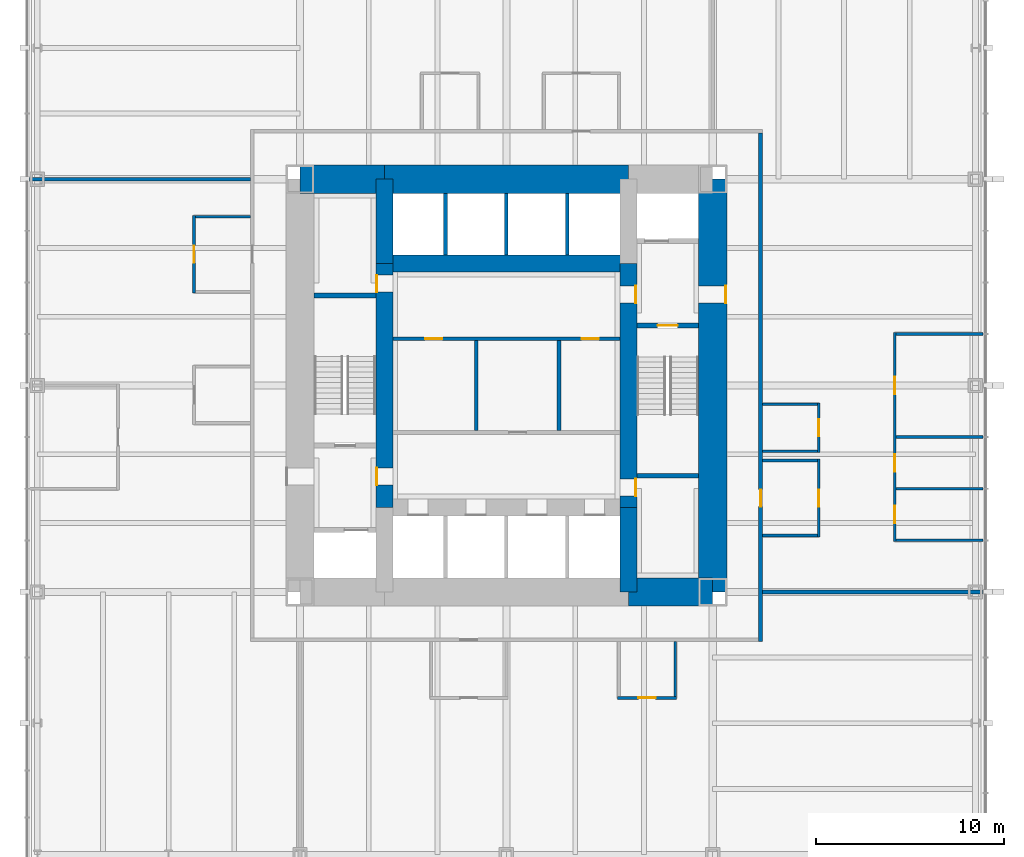
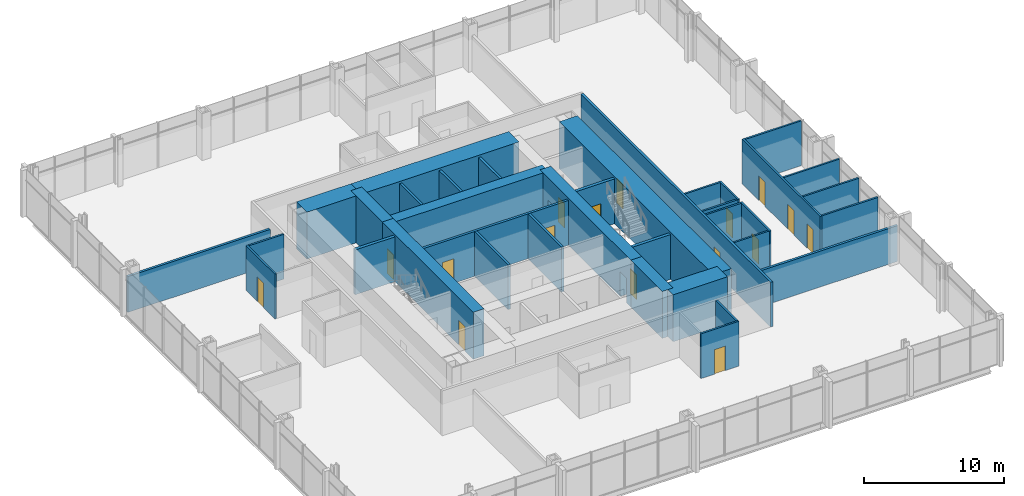
# One storey, part 10 of 12: 36 walls, 16 doors, 16 openings.
"""IFC4 building model written with IfcOpenShell, lengths in metres."""

from ifc_helpers import new_model, si_unit, direction, frame, frame_2d, origin, place, context, subcontext, project, spatial, rectangle, extrude, material, layer, layer_set, type_object, element, fill, save


model = new_model("IFC4")

# Units and contexts
model_context = context("Model", 3, precision=1e-05, world=origin(), true_north=direction((0.0, 1.0)))
body_context = subcontext(model_context, "Body", "Model", "MODEL_VIEW")
ifc_project = project(units=[si_unit("LENGTHUNIT", "METRE"), si_unit("AREAUNIT", "SQUARE_METRE"), si_unit("VOLUMEUNIT", "CUBIC_METRE"), si_unit("PLANEANGLEUNIT", "RADIAN"), si_unit("MASSUNIT", "GRAM", prefix="KILO")], contexts=[model_context])

# Site, building, storey
site_placement = place(None, origin())
site = spatial("IfcSite", under=ifc_project, at=site_placement, CompositionType="ELEMENT")
building_placement = place(site_placement, origin())
building = spatial("IfcBuilding", under=site, at=building_placement, Name="Trevanion Tower", CompositionType="ELEMENT")
storey_placement = place(building_placement, frame((0.0, 0.0, 28.300048828125)))
storey = spatial("IfcBuildingStorey", under=building, at=storey_placement, Name="L06", CompositionType="ELEMENT", Elevation=28.300048828125)

# Wall, opening, door
ifc_material_1 = material(Name="Concrete 10,000 psi", Category="concrete")
ifc_layer_1 = layer(ifc_material_1, 1.5)
ifc_layer_set_1 = layer_set([ifc_layer_1], Name="CW1 core wall 1500")
wall_type_1 = type_object("IfcWallType", Name="CW1 core wall 1500", PredefinedType="SHEAR", material=ifc_layer_set_1)
wall_1_placement = place(storey_placement, frame((11.0, -11.0, 0.0), z_axis=(0.0, 0.0, 1.0), x_axis=(0.0, 1.0, 0.0)))
wall_1 = element("IfcWall", 1, at=wall_1_placement, inside=storey, type_object=wall_type_1, Name="CW1 CE L06", PredefinedType="SHEAR", context=body_context, shape_type="SweptSolid", body=[
    extrude(rectangle(XDim=22.0, YDim=1.5, at=frame_2d((11.0, 0.0))), origin(), (0.0, 0.0, 1.0), 4.099853515625),
])
opening_1_placement = place(wall_1_placement, frame((15.392578125, 0.0, 0.0)))
opening_1 = element("IfcOpeningElement", 2, at=opening_1_placement, cuts=wall_1, Name="Opening 06-001", PredefinedType="OPENING", context=body_context, shape_type="SweptSolid", body=[
    extrude(rectangle(XDim=0.9150390625, YDim=2.134033203125, at=frame_2d((0.45751953125, 1.06689453125))), frame((0.0, 0.760009765625, 0.0), z_axis=(0.0, -1.0, 0.0), x_axis=(1.0, 0.0, 0.0)), (0.0, 0.0, 1.0), 1.52001953125),
])
ifc_material_2 = material(Name="Hollow metal, fire rated", Category="steel")
door_type_1 = type_object("IfcDoorType", Name="D3 fire lift lobby door", OperationType="SINGLE_SWING_RIGHT", PredefinedType="DOOR", material=ifc_material_2)
door_1_placement = place(opening_1_placement, origin())
door_1 = element("IfcDoor", 3, at=door_1_placement, inside=storey, type_object=door_type_1, Name="Door 06-001", OperationType="SINGLE_SWING_RIGHT", OverallHeight=2.134033203125, OverallWidth=0.9150390625, PredefinedType="DOOR", context=body_context, shape_type="SweptSolid", body=[
    extrude(rectangle(XDim=0.9150390625, YDim=2.134033203125, at=frame_2d((0.45751953125, 1.06689453125))), frame((0.0, -0.6748046875, 0.0), z_axis=(0.0, -1.0, 0.0), x_axis=(1.0, 0.0, 0.0)), (0.0, 0.0, 1.0), 0.050048828125),
])
fill(opening_1, door_1)

# Walls
wall_2_placement = place(storey_placement, frame((6.5, 11.0, 0.0), z_axis=(0.0, 0.0, 1.0), x_axis=(-1.0, 0.0, 0.0)))
element("IfcWall", 4, at=wall_2_placement, inside=storey, type_object=wall_type_1, Name="CW1 CN2 L06", PredefinedType="SHEAR", context=body_context, shape_type="SweptSolid", body=[
    extrude(rectangle(XDim=13.0, YDim=1.5, at=frame_2d((6.5, 0.0))), origin(), (0.0, 0.0, 1.0), 4.099853515625),
])
for number, where, z_axis, x_axis, name in (
    (5, (-6.5, 11.0, 0.0), (0.0, 0.0, 1.0), (-1.0, 0.0, 0.0), "CW1 CN3 L06"),
    (6, (6.5, -11.0, 0.0), (0.0, 0.0, 1.0), (1.0, 0.0, 0.0), "CW1 CS3 L06"),
):
    element("IfcWall", number, at=place(storey_placement, frame(where, z_axis=z_axis, x_axis=x_axis)), inside=storey, type_object=wall_type_1, Name=name, PredefinedType="SHEAR", context=body_context, shape_type="SweptSolid", body=[
        extrude(rectangle(XDim=4.5, YDim=1.5, at=frame_2d((2.25, 0.0))), origin(), (0.0, 0.0, 1.0), 4.099853515625),
    ])
ifc_material_3 = material(Name="Concrete 10,000 psi", Category="concrete")
ifc_layer_2 = layer(ifc_material_3, 0.89990234375)
ifc_layer_set_2 = layer_set([ifc_layer_2], Name="CW2 core wall 900")
wall_type_2 = type_object("IfcWallType", Name="CW2 core wall 900", PredefinedType="SHEAR", material=ifc_layer_set_2)
wall_3_placement = place(storey_placement, frame((6.5, -11.0, 0.0), z_axis=(0.0, 0.0, 1.0), x_axis=(0.0, 1.0, 0.0)))
element("IfcWall", 7, at=wall_3_placement, inside=storey, type_object=wall_type_2, Name="CW2 RE1 L06", PredefinedType="SHEAR", context=body_context, shape_type="SweptSolid", body=[
    extrude(rectangle(XDim=4.5, YDim=0.89990234375, at=frame_2d((2.25, 0.0))), origin(), (0.0, 0.0, 1.0), 4.099853515625),
])

# Wall, openings, doors
wall_4_placement = place(storey_placement, frame((6.5, -6.5, 0.0), z_axis=(0.0, 0.0, 1.0), x_axis=(0.0, 1.0, 0.0)))
wall_4 = element("IfcWall", 8, at=wall_4_placement, inside=storey, type_object=wall_type_2, Name="CW2 RE2 L06", PredefinedType="SHEAR", context=body_context, shape_type="SweptSolid", body=[
    extrude(rectangle(XDim=13.0, YDim=0.89990234375, at=frame_2d((6.5, 0.0))), origin(), (0.0, 0.0, 1.0), 4.099853515625),
])
opening_2_placement = place(wall_4_placement, frame((10.892578125, 0.0, 0.0)))
opening_2 = element("IfcOpeningElement", 9, at=opening_2_placement, cuts=wall_4, Name="Opening 06-003", PredefinedType="OPENING", context=body_context, shape_type="SweptSolid", body=[
    extrude(rectangle(XDim=0.9150390625, YDim=2.134033203125, at=frame_2d((0.45751953125, 1.06689453125))), frame((0.0, 0.4599609375, 0.0), z_axis=(0.0, -1.0, 0.0), x_axis=(1.0, 0.0, 0.0)), (0.0, 0.0, 1.0), 0.919921875),
])
opening_3_placement = place(wall_4_placement, frame((0.610107421875, 0.0, 0.0)))
opening_3 = element("IfcOpeningElement", 10, at=opening_3_placement, cuts=wall_4, Name="Opening 06-009", PredefinedType="OPENING", context=body_context, shape_type="SweptSolid", body=[
    extrude(rectangle(XDim=0.9150390625, YDim=2.134033203125, at=frame_2d((0.45751953125, 1.06689453125))), frame((0.0, 0.4599609375, 0.0), z_axis=(0.0, -1.0, 0.0), x_axis=(1.0, 0.0, 0.0)), (0.0, 0.0, 1.0), 0.919921875),
])
door_2_placement = place(opening_2_placement, origin())
door_2 = element("IfcDoor", 11, at=door_2_placement, inside=storey, type_object=door_type_1, Name="Door 06-003", OperationType="SINGLE_SWING_RIGHT", OverallHeight=2.134033203125, OverallWidth=0.9150390625, PredefinedType="DOOR", context=body_context, shape_type="SweptSolid", body=[
    extrude(rectangle(XDim=0.9150390625, YDim=2.134033203125, at=frame_2d((0.45751953125, 1.06689453125))), frame((0.0, -0.375, 0.0), z_axis=(0.0, -1.0, 0.0), x_axis=(1.0, 0.0, 0.0)), (0.0, 0.0, 1.0), 0.050048828125),
])
fill(opening_2, door_2)
ifc_material_4 = material(Name="Hollow metal, fire rated", Category="steel")
door_type_2 = type_object("IfcDoorType", Name="D5 service room door", OperationType="SINGLE_SWING_RIGHT", PredefinedType="DOOR", material=ifc_material_4)
door_3_placement = place(opening_3_placement, origin())
door_3 = element("IfcDoor", 12, at=door_3_placement, inside=storey, type_object=door_type_2, Name="Door 06-009", OperationType="SINGLE_SWING_RIGHT", OverallHeight=2.134033203125, OverallWidth=0.9150390625, PredefinedType="DOOR", context=body_context, shape_type="SweptSolid", body=[
    extrude(rectangle(XDim=0.9150390625, YDim=2.134033203125, at=frame_2d((0.45751953125, 1.06689453125))), frame((0.0, -0.375, 0.0), z_axis=(0.0, -1.0, 0.0), x_axis=(1.0, 0.0, 0.0)), (0.0, 0.0, 1.0), 0.050048828125),
])
fill(opening_3, door_3)

# Wall
wall_5_placement = place(storey_placement, frame((-6.5, 11.0, 0.0), z_axis=(0.0, 0.0, 1.0), x_axis=(0.0, -1.0, 0.0)))
element("IfcWall", 13, at=wall_5_placement, inside=storey, type_object=wall_type_2, Name="CW2 RW1 L06", PredefinedType="SHEAR", context=body_context, shape_type="SweptSolid", body=[
    extrude(rectangle(XDim=4.5, YDim=0.89990234375, at=frame_2d((2.25, 0.0))), origin(), (0.0, 0.0, 1.0), 4.099853515625),
])

# Wall, openings, doors
wall_6_placement = place(storey_placement, frame((-6.5, 6.5, 0.0), z_axis=(0.0, 0.0, 1.0), x_axis=(0.0, -1.0, 0.0)))
wall_6 = element("IfcWall", 14, at=wall_6_placement, inside=storey, type_object=wall_type_2, Name="CW2 RW2 L06", PredefinedType="SHEAR", context=body_context, shape_type="SweptSolid", body=[
    extrude(rectangle(XDim=13.0, YDim=0.89990234375, at=frame_2d((6.5, 0.0))), origin(), (0.0, 0.0, 1.0), 4.099853515625),
])
opening_4_placement = place(wall_6_placement, frame((10.892578125, 0.0, 0.0)))
opening_4 = element("IfcOpeningElement", 15, at=opening_4_placement, cuts=wall_6, Name="Opening 06-004", PredefinedType="OPENING", context=body_context, shape_type="SweptSolid", body=[
    extrude(rectangle(XDim=0.9150390625, YDim=2.134033203125, at=frame_2d((0.45751953125, 1.06689453125))), frame((0.0, 0.4599609375, 0.0), z_axis=(0.0, -1.0, 0.0), x_axis=(1.0, 0.0, 0.0)), (0.0, 0.0, 1.0), 0.919921875),
])
opening_5_placement = place(wall_6_placement, frame((0.610107421875, 0.0, 0.0)))
opening_5 = element("IfcOpeningElement", 16, at=opening_5_placement, cuts=wall_6, Name="Opening 06-010", PredefinedType="OPENING", context=body_context, shape_type="SweptSolid", body=[
    extrude(rectangle(XDim=0.9150390625, YDim=2.134033203125, at=frame_2d((0.45751953125, 1.06689453125))), frame((0.0, 0.4599609375, 0.0), z_axis=(0.0, -1.0, 0.0), x_axis=(1.0, 0.0, 0.0)), (0.0, 0.0, 1.0), 0.919921875),
])
door_4_placement = place(opening_4_placement, origin())
door_4 = element("IfcDoor", 17, at=door_4_placement, inside=storey, type_object=door_type_1, Name="Door 06-004", OperationType="SINGLE_SWING_RIGHT", OverallHeight=2.134033203125, OverallWidth=0.9150390625, PredefinedType="DOOR", context=body_context, shape_type="SweptSolid", body=[
    extrude(rectangle(XDim=0.9150390625, YDim=2.134033203125, at=frame_2d((0.45751953125, 1.06689453125))), frame((0.0, -0.375, 0.0), z_axis=(0.0, -1.0, 0.0), x_axis=(1.0, 0.0, 0.0)), (0.0, 0.0, 1.0), 0.050048828125),
])
fill(opening_4, door_4)
door_5_placement = place(opening_5_placement, origin())
door_5 = element("IfcDoor", 18, at=door_5_placement, inside=storey, type_object=door_type_2, Name="Door 06-010", OperationType="SINGLE_SWING_RIGHT", OverallHeight=2.134033203125, OverallWidth=0.9150390625, PredefinedType="DOOR", context=body_context, shape_type="SweptSolid", body=[
    extrude(rectangle(XDim=0.9150390625, YDim=2.134033203125, at=frame_2d((0.45751953125, 1.06689453125))), frame((0.0, -0.375, 0.0), z_axis=(0.0, -1.0, 0.0), x_axis=(1.0, 0.0, 0.0)), (0.0, 0.0, 1.0), 0.050048828125),
])
fill(opening_5, door_5)

# Wall
wall_7_placement = place(storey_placement, frame((6.5, 6.5, 0.0), z_axis=(0.0, 0.0, 1.0), x_axis=(-1.0, 0.0, 0.0)))
element("IfcWall", 19, at=wall_7_placement, inside=storey, type_object=wall_type_2, Name="CW2 RN L06", PredefinedType="SHEAR", context=body_context, shape_type="SweptSolid", body=[
    extrude(rectangle(XDim=13.0, YDim=0.89990234375, at=frame_2d((6.5, 0.0))), origin(), (0.0, 0.0, 1.0), 4.099853515625),
])

# Wall, openings, doors
ifc_material_5 = material(Name="Gypsum board on steel studs", Category="steel")
ifc_layer_3 = layer(ifc_material_5, 0.14990234375)
ifc_layer_set_3 = layer_set([ifc_layer_3], Name="PT1 partition 150")
wall_type_3 = type_object("IfcWallType", Name="PT1 partition 150", PredefinedType="PARTITIONING", material=ifc_layer_set_3)
wall_8_placement = place(storey_placement, frame((20.699951171875, -8.324951171875, 0.0), z_axis=(0.0, 0.0, 1.0), x_axis=(0.0, 1.0, 0.0)))
wall_8 = element("IfcWall", 20, at=wall_8_placement, inside=storey, type_object=wall_type_3, Name="PT1 L06 FC0F", PredefinedType="PARTITIONING", context=body_context, shape_type="SweptSolid", body=[
    extrude(rectangle(XDim=11.14990234375, YDim=0.14990234375, at=frame_2d((5.574951171875, 0.0))), origin(), (0.0, 0.0, 1.0), 3.909912109375),
])
opening_6_placement = place(wall_8_placement, frame((0.992431640625, 0.0, 0.0)))
opening_6 = element("IfcOpeningElement", 21, at=opening_6_placement, cuts=wall_8, Name="Opening 06-018", PredefinedType="OPENING", context=body_context, shape_type="SweptSolid", body=[
    extrude(rectangle(XDim=0.9150390625, YDim=2.134033203125, at=frame_2d((0.45751953125, 1.06689453125))), frame((0.0, 0.0849609375, 0.0), z_axis=(0.0, -1.0, 0.0), x_axis=(1.0, 0.0, 0.0)), (0.0, 0.0, 1.0), 0.169921875),
])
opening_7_placement = place(wall_8_placement, frame((3.742431640625, 0.0, 0.0)))
opening_7 = element("IfcOpeningElement", 22, at=opening_7_placement, cuts=wall_8, Name="Opening 06-019", PredefinedType="OPENING", context=body_context, shape_type="SweptSolid", body=[
    extrude(rectangle(XDim=0.9150390625, YDim=2.134033203125, at=frame_2d((0.45751953125, 1.06689453125))), frame((0.0, 0.0849609375, 0.0), z_axis=(0.0, -1.0, 0.0), x_axis=(1.0, 0.0, 0.0)), (0.0, 0.0, 1.0), 0.169921875),
])
opening_8_placement = place(wall_8_placement, frame((7.867431640625, 0.0, 0.0)))
opening_8 = element("IfcOpeningElement", 23, at=opening_8_placement, cuts=wall_8, Name="Opening 06-020", PredefinedType="OPENING", context=body_context, shape_type="SweptSolid", body=[
    extrude(rectangle(XDim=0.9150390625, YDim=2.134033203125, at=frame_2d((0.45751953125, 1.06689453125))), frame((0.0, 0.0849609375, 0.0), z_axis=(0.0, -1.0, 0.0), x_axis=(1.0, 0.0, 0.0)), (0.0, 0.0, 1.0), 0.169921875),
])
ifc_material_6 = material(Name="Timber veneer, solid core", Category="wood")
door_type_3 = type_object("IfcDoorType", Name="D1 office and meeting room door", OperationType="SINGLE_SWING_LEFT", PredefinedType="DOOR", material=ifc_material_6)
door_6_placement = place(opening_6_placement, origin())
door_6 = element("IfcDoor", 24, at=door_6_placement, inside=storey, type_object=door_type_3, Name="Door 06-018", OperationType="SINGLE_SWING_LEFT", OverallHeight=2.134033203125, OverallWidth=0.9150390625, PredefinedType="DOOR", context=body_context, shape_type="SweptSolid", body=[
    extrude(rectangle(XDim=0.9150390625, YDim=2.134033203125, at=frame_2d((0.45751953125, 1.06689453125))), frame((0.0, 0.02490234375, 0.0), z_axis=(0.0, -1.0, 0.0), x_axis=(1.0, 0.0, 0.0)), (0.0, 0.0, 1.0), 0.050048828125),
])
fill(opening_6, door_6)
door_7_placement = place(opening_7_placement, origin())
door_7 = element("IfcDoor", 25, at=door_7_placement, inside=storey, type_object=door_type_3, Name="Door 06-019", OperationType="SINGLE_SWING_LEFT", OverallHeight=2.134033203125, OverallWidth=0.9150390625, PredefinedType="DOOR", context=body_context, shape_type="SweptSolid", body=[
    extrude(rectangle(XDim=0.9150390625, YDim=2.134033203125, at=frame_2d((0.45751953125, 1.06689453125))), frame((0.0, 0.02490234375, 0.0), z_axis=(0.0, -1.0, 0.0), x_axis=(1.0, 0.0, 0.0)), (0.0, 0.0, 1.0), 0.050048828125),
])
fill(opening_7, door_7)
door_8_placement = place(opening_8_placement, origin())
door_8 = element("IfcDoor", 26, at=door_8_placement, inside=storey, type_object=door_type_3, Name="Door 06-020", OperationType="SINGLE_SWING_LEFT", OverallHeight=2.134033203125, OverallWidth=0.9150390625, PredefinedType="DOOR", context=body_context, shape_type="SweptSolid", body=[
    extrude(rectangle(XDim=0.9150390625, YDim=2.134033203125, at=frame_2d((0.45751953125, 1.06689453125))), frame((0.0, 0.02490234375, 0.0), z_axis=(0.0, -1.0, 0.0), x_axis=(1.0, 0.0, 0.0)), (0.0, 0.0, 1.0), 0.050048828125),
])
fill(opening_8, door_8)

# Walls
for number, where, z_axis, x_axis, name in (
    (27, (20.77490234375, -8.25, 0.0), (0.0, 0.0, 1.0), (1.0, 0.0, 0.0), "PT1 L06 FC0S0"),
    (28, (20.77490234375, -5.5, 0.0), (0.0, 0.0, 1.0), (1.0, 0.0, 0.0), "PT1 L06 FC0S1"),
    (29, (20.77490234375, -2.75, 0.0), (0.0, 0.0, 1.0), (1.0, 0.0, 0.0), "PT1 L06 FC0S2"),
    (30, (20.77490234375, 2.75, 0.0), (0.0, 0.0, 1.0), (1.0, 0.0, 0.0), "PT1 L06 FC0S4"),
):
    element("IfcWall", number, at=place(storey_placement, frame(where, z_axis=z_axis, x_axis=x_axis)), inside=storey, type_object=wall_type_3, Name=name, PredefinedType="PARTITIONING", context=body_context, shape_type="SweptSolid", body=[
        extrude(rectangle(XDim=4.64013671875, YDim=0.14990234375, at=frame_2d((2.320068359375, 0.0))), origin(), (0.0, 0.0, 1.0), 3.909912109375),
    ])

# Wall, opening, door
wall_9_placement = place(storey_placement, frame((16.64990234375, -8.074951171875, 0.0), z_axis=(0.0, 0.0, 1.0), x_axis=(0.0, 1.0, 0.0)))
wall_9 = element("IfcWall", 31, at=wall_9_placement, inside=storey, type_object=wall_type_3, Name="PT1 L06 IN00F", PredefinedType="PARTITIONING", context=body_context, shape_type="SweptSolid", body=[
    extrude(rectangle(XDim=4.14990234375, YDim=0.14990234375, at=frame_2d((2.074951171875, 0.0))), origin(), (0.0, 0.0, 1.0), 3.909912109375),
])
opening_9_placement = place(wall_9_placement, frame((1.617431640625, 0.0, 0.0)))
opening_9 = element("IfcOpeningElement", 32, at=opening_9_placement, cuts=wall_9, Name="Opening 06-024", PredefinedType="OPENING", context=body_context, shape_type="SweptSolid", body=[
    extrude(rectangle(XDim=0.9150390625, YDim=2.134033203125, at=frame_2d((0.45751953125, 1.06689453125))), frame((0.0, 0.0849609375, 0.0), z_axis=(0.0, -1.0, 0.0), x_axis=(1.0, 0.0, 0.0)), (0.0, 0.0, 1.0), 0.169921875),
])
door_9_placement = place(opening_9_placement, origin())
door_9 = element("IfcDoor", 33, at=door_9_placement, inside=storey, type_object=door_type_3, Name="Door 06-024", OperationType="SINGLE_SWING_LEFT", OverallHeight=2.134033203125, OverallWidth=0.9150390625, PredefinedType="DOOR", context=body_context, shape_type="SweptSolid", body=[
    extrude(rectangle(XDim=0.9150390625, YDim=2.134033203125, at=frame_2d((0.45751953125, 1.06689453125))), frame((0.0, 0.02490234375, 0.0), z_axis=(0.0, -1.0, 0.0), x_axis=(1.0, 0.0, 0.0)), (0.0, 0.0, 1.0), 0.050048828125),
])
fill(opening_9, door_9)

# Walls
for number, where, z_axis, x_axis, name in (
    (34, (16.574951171875, -8.0, 0.0), (0.0, 0.0, 1.0), (-1.0, 0.0, 0.0), "PT1 L06 IN00S0"),
    (35, (16.574951171875, -4.0, 0.0), (0.0, 0.0, 1.0), (-1.0, 0.0, 0.0), "PT1 L06 IN00S1"),
):
    element("IfcWall", number, at=place(storey_placement, frame(where, z_axis=z_axis, x_axis=x_axis)), inside=storey, type_object=wall_type_3, Name=name, PredefinedType="PARTITIONING", context=body_context, shape_type="SweptSolid", body=[
        extrude(rectangle(XDim=2.925048828125, YDim=0.14990234375, at=frame_2d((1.46240234375, 0.0))), origin(), (0.0, 0.0, 1.0), 3.909912109375),
    ])

# Wall, opening, door
wall_10_placement = place(storey_placement, frame((16.64990234375, -3.574951171875, 0.0), z_axis=(0.0, 0.0, 1.0), x_axis=(0.0, 1.0, 0.0)))
wall_10 = element("IfcWall", 36, at=wall_10_placement, inside=storey, type_object=wall_type_3, Name="PT1 L06 IN01F", PredefinedType="PARTITIONING", context=body_context, shape_type="SweptSolid", body=[
    extrude(rectangle(XDim=2.64990234375, YDim=0.14990234375, at=frame_2d((1.324951171875, 0.0))), origin(), (0.0, 0.0, 1.0), 3.909912109375),
])
opening_10_placement = place(wall_10_placement, frame((0.867431640625, 0.0, 0.0)))
opening_10 = element("IfcOpeningElement", 37, at=opening_10_placement, cuts=wall_10, Name="Opening 06-026", PredefinedType="OPENING", context=body_context, shape_type="SweptSolid", body=[
    extrude(rectangle(XDim=0.9150390625, YDim=2.134033203125, at=frame_2d((0.45751953125, 1.06689453125))), frame((0.0, 0.0849609375, 0.0), z_axis=(0.0, -1.0, 0.0), x_axis=(1.0, 0.0, 0.0)), (0.0, 0.0, 1.0), 0.169921875),
])
door_10_placement = place(opening_10_placement, origin())
door_10 = element("IfcDoor", 38, at=door_10_placement, inside=storey, type_object=door_type_3, Name="Door 06-026", OperationType="SINGLE_SWING_LEFT", OverallHeight=2.134033203125, OverallWidth=0.9150390625, PredefinedType="DOOR", context=body_context, shape_type="SweptSolid", body=[
    extrude(rectangle(XDim=0.9150390625, YDim=2.134033203125, at=frame_2d((0.45751953125, 1.06689453125))), frame((0.0, 0.02490234375, 0.0), z_axis=(0.0, -1.0, 0.0), x_axis=(1.0, 0.0, 0.0)), (0.0, 0.0, 1.0), 0.050048828125),
])
fill(opening_10, door_10)

# Walls
for number, where, z_axis, x_axis, name in (
    (39, (16.574951171875, -3.5, 0.0), (0.0, 0.0, 1.0), (-1.0, 0.0, 0.0), "PT1 L06 IN01S0"),
    (40, (16.574951171875, -1.0, 0.0), (0.0, 0.0, 1.0), (-1.0, 0.0, 0.0), "PT1 L06 IN01S1"),
):
    element("IfcWall", number, at=place(storey_placement, frame(where, z_axis=z_axis, x_axis=x_axis)), inside=storey, type_object=wall_type_3, Name=name, PredefinedType="PARTITIONING", context=body_context, shape_type="SweptSolid", body=[
        extrude(rectangle(XDim=2.925048828125, YDim=0.14990234375, at=frame_2d((1.46240234375, 0.0))), origin(), (0.0, 0.0, 1.0), 3.909912109375),
    ])

# Wall, opening, door
wall_11_placement = place(storey_placement, frame((-16.64990234375, 9.074951171875, 0.0), z_axis=(0.0, 0.0, 1.0), x_axis=(0.0, -1.0, 0.0)))
wall_11 = element("IfcWall", 41, at=wall_11_placement, inside=storey, type_object=wall_type_3, Name="PT1 L06 IN20F", PredefinedType="PARTITIONING", context=body_context, shape_type="SweptSolid", body=[
    extrude(rectangle(XDim=4.14990234375, YDim=0.14990234375, at=frame_2d((2.074951171875, 0.0))), origin(), (0.0, 0.0, 1.0), 3.909912109375),
])
opening_11_placement = place(wall_11_placement, frame((1.617431640625, 0.0, 0.0)))
opening_11 = element("IfcOpeningElement", 42, at=opening_11_placement, cuts=wall_11, Name="Opening 06-030", PredefinedType="OPENING", context=body_context, shape_type="SweptSolid", body=[
    extrude(rectangle(XDim=0.9150390625, YDim=2.134033203125, at=frame_2d((0.45751953125, 1.06689453125))), frame((0.0, 0.0849609375, 0.0), z_axis=(0.0, -1.0, 0.0), x_axis=(1.0, 0.0, 0.0)), (0.0, 0.0, 1.0), 0.169921875),
])
door_11_placement = place(opening_11_placement, origin())
door_11 = element("IfcDoor", 43, at=door_11_placement, inside=storey, type_object=door_type_3, Name="Door 06-030", OperationType="SINGLE_SWING_LEFT", OverallHeight=2.134033203125, OverallWidth=0.9150390625, PredefinedType="DOOR", context=body_context, shape_type="SweptSolid", body=[
    extrude(rectangle(XDim=0.9150390625, YDim=2.134033203125, at=frame_2d((0.45751953125, 1.06689453125))), frame((0.0, 0.02490234375, 0.0), z_axis=(0.0, -1.0, 0.0), x_axis=(1.0, 0.0, 0.0)), (0.0, 0.0, 1.0), 0.050048828125),
])
fill(opening_11, door_11)

# Wall
wall_12_placement = place(storey_placement, frame((-16.574951171875, 9.0, 0.0), z_axis=(0.0, 0.0, 1.0), x_axis=(1.0, 0.0, 0.0)))
element("IfcWall", 44, at=wall_12_placement, inside=storey, type_object=wall_type_3, Name="PT1 L06 IN20S0", PredefinedType="PARTITIONING", context=body_context, shape_type="SweptSolid", body=[
    extrude(rectangle(XDim=2.925048828125, YDim=0.14990234375, at=frame_2d((1.46240234375, 0.0))), origin(), (0.0, 0.0, 1.0), 3.909912109375),
])

# Wall, opening, door
wall_13_placement = place(storey_placement, frame((5.925048828125, -16.64990234375, 0.0), z_axis=(0.0, 0.0, 1.0), x_axis=(1.0, 0.0, 0.0)))
wall_13 = element("IfcWall", 45, at=wall_13_placement, inside=storey, type_object=wall_type_3, Name="PT1 L06 IN31F", PredefinedType="PARTITIONING", context=body_context, shape_type="SweptSolid", body=[
    extrude(rectangle(XDim=3.14990234375, YDim=0.14990234375, at=frame_2d((1.574951171875, 0.0))), origin(), (0.0, 0.0, 1.0), 3.909912109375),
])
opening_12_placement = place(wall_13_placement, frame((1.117431640625, 0.0, 0.0)))
opening_12 = element("IfcOpeningElement", 46, at=opening_12_placement, cuts=wall_13, Name="Opening 06-035", PredefinedType="OPENING", context=body_context, shape_type="SweptSolid", body=[
    extrude(rectangle(XDim=0.9150390625, YDim=2.134033203125, at=frame_2d((0.45751953125, 1.06689453125))), frame((0.0, 0.0849609375, 0.0), z_axis=(0.0, -1.0, 0.0), x_axis=(1.0, 0.0, 0.0)), (0.0, 0.0, 1.0), 0.169921875),
])
door_12_placement = place(opening_12_placement, origin())
door_12 = element("IfcDoor", 47, at=door_12_placement, inside=storey, type_object=door_type_3, Name="Door 06-035", OperationType="SINGLE_SWING_LEFT", OverallHeight=2.134033203125, OverallWidth=0.9150390625, PredefinedType="DOOR", context=body_context, shape_type="SweptSolid", body=[
    extrude(rectangle(XDim=0.9150390625, YDim=2.134033203125, at=frame_2d((0.45751953125, 1.06689453125))), frame((0.0, 0.02490234375, 0.0), z_axis=(0.0, -1.0, 0.0), x_axis=(1.0, 0.0, 0.0)), (0.0, 0.0, 1.0), 0.050048828125),
])
fill(opening_12, door_12)

# Walls
wall_14_placement = place(storey_placement, frame((9.0, -16.574951171875, 0.0), z_axis=(0.0, 0.0, 1.0), x_axis=(0.0, 1.0, 0.0)))
element("IfcWall", 48, at=wall_14_placement, inside=storey, type_object=wall_type_3, Name="PT1 L06 IN31S1", PredefinedType="PARTITIONING", context=body_context, shape_type="SweptSolid", body=[
    extrude(rectangle(XDim=2.925048828125, YDim=0.14990234375, at=frame_2d((1.46240234375, 0.0))), origin(), (0.0, 0.0, 1.0), 3.909912109375),
])
ifc_material_7 = material(Name="Concrete masonry, grouted", Category="masonry")
ifc_layer_4 = layer(ifc_material_7, 0.199951171875)
ifc_layer_set_4 = layer_set([ifc_layer_4], Name="PT2 partition 200")
wall_type_4 = type_object("IfcWallType", Name="PT2 partition 200", PredefinedType="PARTITIONING", material=ifc_layer_set_4)
for number, where, z_axis, x_axis, name in (
    (49, (-1.60009765625, -2.39990234375, 0.0), (0.0, 0.0, 1.0), (0.0, 1.0, 0.0), "PT2 L06 TP1"),
    (50, (2.800048828125, -2.39990234375, 0.0), (0.0, 0.0, 1.0), (0.0, 1.0, 0.0), "PT2 L06 TP2"),
):
    element("IfcWall", number, at=place(storey_placement, frame(where, z_axis=z_axis, x_axis=x_axis)), inside=storey, type_object=wall_type_4, Name=name, PredefinedType="PARTITIONING", context=body_context, shape_type="SweptSolid", body=[
        extrude(rectangle(XDim=4.7998046875, YDim=0.199951171875, at=frame_2d((2.39990234375, 0.0))), origin(), (0.0, 0.0, 1.0), 3.909912109375),
    ])

# Wall, openings, doors
ifc_material_8 = material(Name="Concrete masonry, grouted", Category="masonry")
ifc_layer_5 = layer(ifc_material_8, 0.199951171875)
ifc_layer_set_5 = layer_set([ifc_layer_5], Name="PT2 partition 200 1 HR")
wall_type_5 = type_object("IfcWallType", Name="PT2 partition 200 1 HR", PredefinedType="PARTITIONING", material=ifc_layer_set_5)
wall_15_placement = place(storey_placement, frame((-6.050048828125, 2.5, 0.0), z_axis=(0.0, 0.0, 1.0), x_axis=(1.0, 0.0, 0.0)))
wall_15 = element("IfcWall", 51, at=wall_15_placement, inside=storey, type_object=wall_type_5, Name="PT2 L06 CP1", PredefinedType="PARTITIONING", context=body_context, shape_type="SweptSolid", body=[
    extrude(rectangle(XDim=12.10009765625, YDim=0.199951171875, at=frame_2d((6.050048828125, 0.0))), origin(), (0.0, 0.0, 1.0), 3.909912109375),
])
opening_13_placement = place(wall_15_placement, frame((1.717529296875, 0.0, 0.0)))
opening_13 = element("IfcOpeningElement", 52, at=opening_13_placement, cuts=wall_15, Name="Opening 06-015", PredefinedType="OPENING", context=body_context, shape_type="SweptSolid", body=[
    extrude(rectangle(XDim=0.9150390625, YDim=2.134033203125, at=frame_2d((0.45751953125, 1.06689453125))), frame((0.0, 0.10986328125, 0.0), z_axis=(0.0, -1.0, 0.0), x_axis=(1.0, 0.0, 0.0)), (0.0, 0.0, 1.0), 0.219970703125),
])
opening_14_placement = place(wall_15_placement, frame((10.0673828125, 0.0, 0.0)))
opening_14 = element("IfcOpeningElement", 53, at=opening_14_placement, cuts=wall_15, Name="Opening 06-017", PredefinedType="OPENING", context=body_context, shape_type="SweptSolid", body=[
    extrude(rectangle(XDim=0.9150390625, YDim=2.134033203125, at=frame_2d((0.45751953125, 1.06689453125))), frame((0.0, 0.10986328125, 0.0), z_axis=(0.0, -1.0, 0.0), x_axis=(1.0, 0.0, 0.0)), (0.0, 0.0, 1.0), 0.219970703125),
])
ifc_material_9 = material(Name="Plastic laminate on fire-rated core", Category="wood")
door_type_4 = type_object("IfcDoorType", Name="D12 toilet door in a one hour wall", OperationType="SINGLE_SWING_LEFT", PredefinedType="DOOR", material=ifc_material_9)
door_13_placement = place(opening_13_placement, origin())
door_13 = element("IfcDoor", 54, at=door_13_placement, inside=storey, type_object=door_type_4, Name="Door 06-015", OperationType="SINGLE_SWING_LEFT", OverallHeight=2.134033203125, OverallWidth=0.9150390625, PredefinedType="DOOR", context=body_context, shape_type="SweptSolid", body=[
    extrude(rectangle(XDim=0.9150390625, YDim=2.134033203125, at=frame_2d((0.45751953125, 1.06689453125))), frame((0.0, 0.02490234375, 0.0), z_axis=(0.0, -1.0, 0.0), x_axis=(1.0, 0.0, 0.0)), (0.0, 0.0, 1.0), 0.050048828125),
])
fill(opening_13, door_13)
door_14_placement = place(opening_14_placement, origin())
door_14 = element("IfcDoor", 55, at=door_14_placement, inside=storey, type_object=door_type_4, Name="Door 06-017", OperationType="SINGLE_SWING_LEFT", OverallHeight=2.134033203125, OverallWidth=0.9150390625, PredefinedType="DOOR", context=body_context, shape_type="SweptSolid", body=[
    extrude(rectangle(XDim=0.9150390625, YDim=2.134033203125, at=frame_2d((0.45751953125, 1.06689453125))), frame((0.0, 0.02490234375, 0.0), z_axis=(0.0, -1.0, 0.0), x_axis=(1.0, 0.0, 0.0)), (0.0, 0.0, 1.0), 0.050048828125),
])
fill(opening_14, door_14)

# Wall, opening, door
wall_16_placement = place(storey_placement, frame((13.550048828125, -13.64990234375, 0.0), z_axis=(0.0, 0.0, 1.0), x_axis=(0.0, 1.0, 0.0)))
wall_16 = element("IfcWall", 56, at=wall_16_placement, inside=storey, type_object=wall_type_5, Name="PT2 L06 OC0", PredefinedType="PARTITIONING", context=body_context, shape_type="SweptSolid", body=[
    extrude(rectangle(XDim=27.099853515625, YDim=0.199951171875, at=frame_2d((13.5498046875, 0.0))), origin(), (0.0, 0.0, 1.0), 3.909912109375),
])
opening_15_placement = place(wall_16_placement, frame((7.1923828125, 0.0, 0.0)))
opening_15 = element("IfcOpeningElement", 57, at=opening_15_placement, cuts=wall_16, Name="Opening 06-025", PredefinedType="OPENING", context=body_context, shape_type="SweptSolid", body=[
    extrude(rectangle(XDim=0.9150390625, YDim=2.134033203125, at=frame_2d((0.45751953125, 1.06689453125))), frame((0.0, 0.10986328125, 0.0), z_axis=(0.0, -1.0, 0.0), x_axis=(1.0, 0.0, 0.0)), (0.0, 0.0, 1.0), 0.219970703125),
])
ifc_material_10 = material(Name="Timber veneer, fire rated", Category="wood")
door_type_5 = type_object("IfcDoorType", Name="D10 office door in a one hour wall", OperationType="SINGLE_SWING_LEFT", PredefinedType="DOOR", material=ifc_material_10)
door_15_placement = place(opening_15_placement, origin())
door_15 = element("IfcDoor", 58, at=door_15_placement, inside=storey, type_object=door_type_5, Name="Door 06-025", OperationType="SINGLE_SWING_LEFT", OverallHeight=2.134033203125, OverallWidth=0.9150390625, PredefinedType="DOOR", context=body_context, shape_type="SweptSolid", body=[
    extrude(rectangle(XDim=0.9150390625, YDim=2.134033203125, at=frame_2d((0.45751953125, 1.06689453125))), frame((0.0, 0.02490234375, 0.0), z_axis=(0.0, -1.0, 0.0), x_axis=(1.0, 0.0, 0.0)), (0.0, 0.0, 1.0), 0.050048828125),
])
fill(opening_15, door_15)

# Walls
for number, where, z_axis, x_axis, name in (
    (59, (-13.64990234375, 11.0, 0.0), (0.0, 0.0, 1.0), (-1.0, 0.0, 0.0), "PT2 L06 DM1"),
    (60, (13.64990234375, -11.0, 0.0), (0.0, 0.0, 1.0), (1.0, 0.0, 0.0), "PT2 L06 DM3"),
):
    element("IfcWall", number, at=place(storey_placement, frame(where, z_axis=z_axis, x_axis=x_axis)), inside=storey, type_object=wall_type_5, Name=name, PredefinedType="PARTITIONING", context=body_context, shape_type="SweptSolid", body=[
        extrude(rectangle(XDim=11.76513671875, YDim=0.199951171875, at=frame_2d((5.882568359375, 0.0))), origin(), (0.0, 0.0, 1.0), 3.130126953125),
    ])
ifc_material_11 = material(Name="Concrete masonry, grouted", Category="masonry")
ifc_layer_6 = layer(ifc_material_11, 0.199951171875)
ifc_layer_set_6 = layer_set([ifc_layer_6], Name="PT2 partition 200 2 HR")
wall_type_6 = type_object("IfcWallType", Name="PT2 partition 200 2 HR", PredefinedType="PARTITIONING", material=ifc_layer_set_6)
for number, where, z_axis, x_axis, name in (
    (61, (-3.25, 6.949951171875, 0.0), (0.0, 0.0, 1.0), (0.0, 1.0, 0.0), "PT2 L06 NS0"),
    (62, (0.0, 6.949951171875, 0.0), (0.0, 0.0, 1.0), (0.0, 1.0, 0.0), "PT2 L06 NS1"),
    (63, (3.25, 6.949951171875, 0.0), (0.0, 0.0, 1.0), (0.0, 1.0, 0.0), "PT2 L06 NS2"),
):
    element("IfcWall", number, at=place(storey_placement, frame(where, z_axis=z_axis, x_axis=x_axis)), inside=storey, type_object=wall_type_6, Name=name, PredefinedType="PARTITIONING", context=body_context, shape_type="SweptSolid", body=[
        extrude(rectangle(XDim=3.300048828125, YDim=0.199951171875, at=frame_2d((1.64990234375, 0.0))), origin(), (0.0, 0.0, 1.0), 3.909912109375),
    ])
ifc_material_12 = material(Name="Reinforced masonry, fully grouted", Category="masonry")
ifc_layer_7 = layer(ifc_material_12, 0.25)
ifc_layer_set_7 = layer_set([ifc_layer_7], Name="SW1 stair shaft wall 250")
wall_type_7 = type_object("IfcWallType", Name="SW1 stair shaft wall 250", PredefinedType="SOLIDWALL", material=ifc_layer_set_7)
for number, where, z_axis, x_axis, name in (
    (64, (6.949951171875, -4.800048828125, 0.0), (0.0, 0.0, 1.0), (1.0, 0.0, 0.0), "SW1 L06 EP1"),
    (65, (-6.949951171875, 4.800048828125, 0.0), (0.0, 0.0, 1.0), (-1.0, 0.0, 0.0), "SW1 L06 WP1"),
):
    element("IfcWall", number, at=place(storey_placement, frame(where, z_axis=z_axis, x_axis=x_axis)), inside=storey, type_object=wall_type_7, Name=name, PredefinedType="SOLIDWALL", context=body_context, shape_type="SweptSolid", body=[
        extrude(rectangle(XDim=3.300048828125, YDim=0.25, at=frame_2d((1.64990234375, 0.0))), origin(), (0.0, 0.0, 1.0), 3.909912109375),
    ])

# Wall, opening, door
wall_17_placement = place(storey_placement, frame((6.949951171875, 3.199951171875, 0.0), z_axis=(0.0, 0.0, 1.0), x_axis=(1.0, 0.0, 0.0)))
wall_17 = element("IfcWall", 66, at=wall_17_placement, inside=storey, type_object=wall_type_7, Name="SW1 L06 EP2", PredefinedType="SOLIDWALL", context=body_context, shape_type="SweptSolid", body=[
    extrude(rectangle(XDim=3.300048828125, YDim=0.25, at=frame_2d((1.64990234375, 0.0))), origin(), (0.0, 0.0, 1.0), 3.909912109375),
])
opening_16_placement = place(wall_17_placement, frame((1.116455078125, 0.0, 0.0)))
opening_16 = element("IfcOpeningElement", 67, at=opening_16_placement, cuts=wall_17, Name="Opening 06-005", PredefinedType="OPENING", context=body_context, shape_type="SweptSolid", body=[
    extrude(rectangle(XDim=1.06689453125, YDim=2.134033203125, at=frame_2d((0.533447265625, 1.06689453125))), frame((0.0, 0.135009765625, 0.0), z_axis=(0.0, -1.0, 0.0), x_axis=(1.0, 0.0, 0.0)), (0.0, 0.0, 1.0), 0.27001953125),
])
ifc_material_13 = material(Name="Hollow metal, fire rated", Category="steel")
door_type_6 = type_object("IfcDoorType", Name="D2 exit stair door", OperationType="SINGLE_SWING_LEFT", PredefinedType="DOOR", material=ifc_material_13)
door_16_placement = place(opening_16_placement, origin())
door_16 = element("IfcDoor", 68, at=door_16_placement, inside=storey, type_object=door_type_6, Name="Door 06-005", OperationType="SINGLE_SWING_LEFT", OverallHeight=2.134033203125, OverallWidth=1.06689453125, PredefinedType="DOOR", context=body_context, shape_type="SweptSolid", body=[
    extrude(rectangle(XDim=1.06689453125, YDim=2.134033203125, at=frame_2d((0.533447265625, 1.06689453125))), frame((0.0, 0.02490234375, 0.0), z_axis=(0.0, -1.0, 0.0), x_axis=(1.0, 0.0, 0.0)), (0.0, 0.0, 1.0), 0.050048828125),
])
fill(opening_16, door_16)

save(model, "model.ifc")
